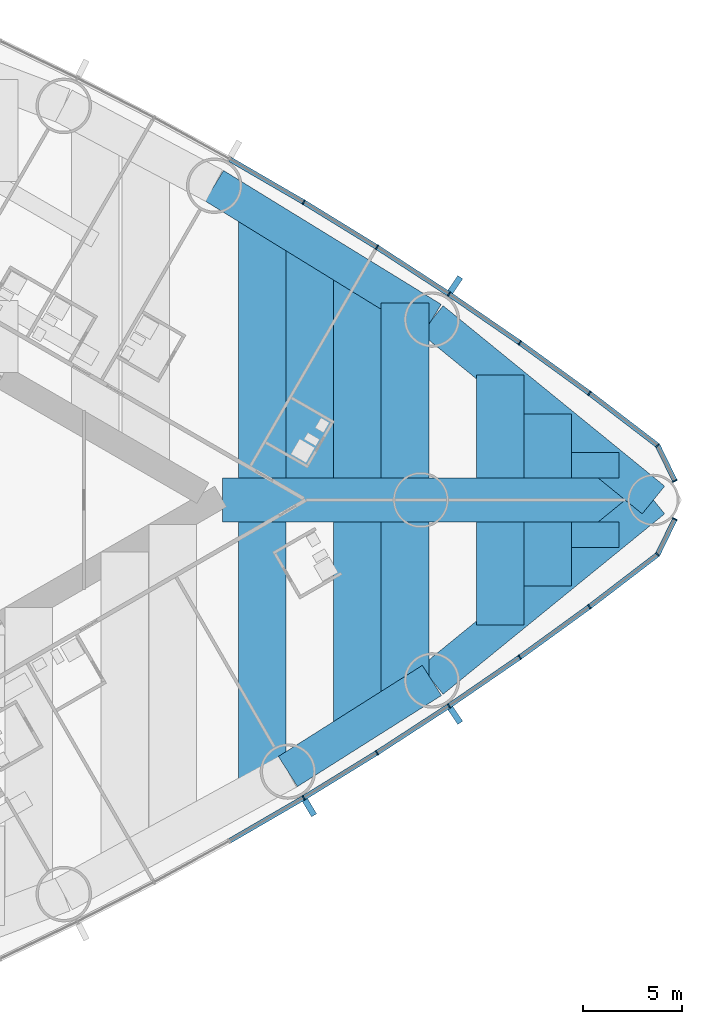
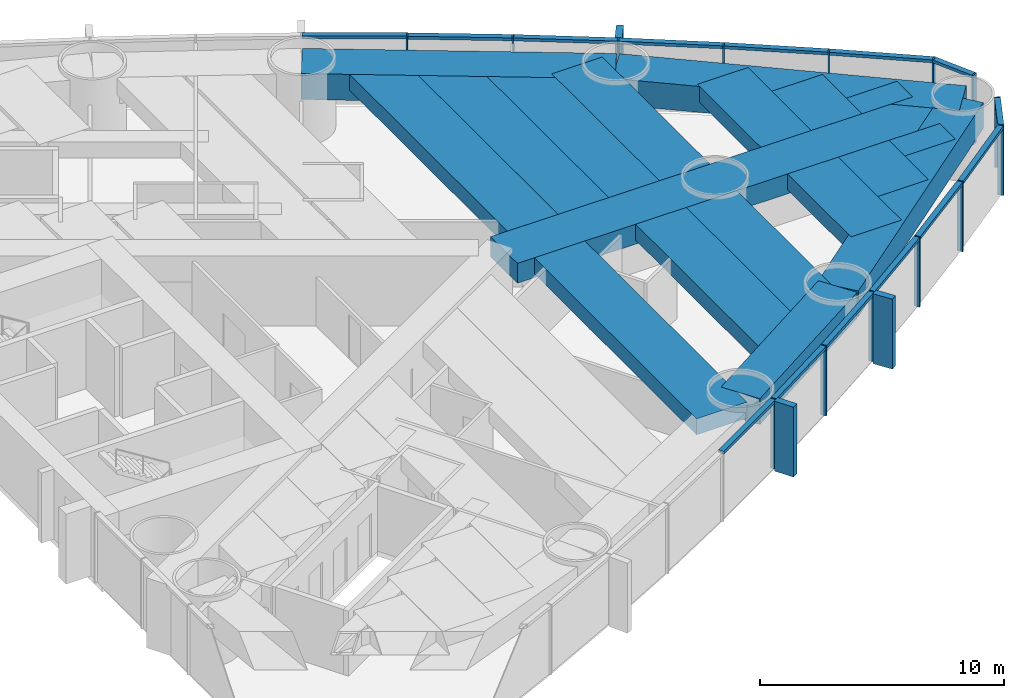
# One storey, part 8 of 18: 31 members, 18 beams, 2 elements without a shape of their own.
"""IFC4 building model written with IfcOpenShell, lengths in metres."""

from ifc_helpers import new_model, si_unit, direction, frame, origin, origin_2d, place, context, subcontext, project, spatial, rectangle, extrude, material, material_profile, profile_set, type_object, element, aggregate, save


model = new_model("IFC4")

# Units and contexts
model_context = context("Model", 3, precision=1e-05, world=origin(), true_north=direction((0.0, 1.0)))
body_context = subcontext(model_context, "Body", "Model", "MODEL_VIEW")
ifc_project = project(units=[si_unit("LENGTHUNIT", "METRE"), si_unit("AREAUNIT", "SQUARE_METRE"), si_unit("VOLUMEUNIT", "CUBIC_METRE"), si_unit("PLANEANGLEUNIT", "RADIAN"), si_unit("MASSUNIT", "GRAM", prefix="KILO")], contexts=[model_context])

# Site, building, storey
site_placement = place(None, origin())
site = spatial("IfcSite", under=ifc_project, at=site_placement, CompositionType="ELEMENT")
building_placement = place(site_placement, origin())
building = spatial("IfcBuilding", under=site, at=building_placement, Name="Lancet Gate Hotel", CompositionType="ELEMENT")
storey_placement = place(building_placement, frame((0.0, 0.0, 42.5)))
storey = spatial("IfcBuildingStorey", under=building, at=storey_placement, Name="L10", CompositionType="ELEMENT", Elevation=42.5)

# Curtain wall, members
ifc_material_1 = material(Name="Aluminium curtain wall", Category="aluminium")
curtain_wall_type = type_object("IfcCurtainWallType", Name="Tower unitised curtain wall", PredefinedType="USERDEFINED", material=ifc_material_1)
curtain_wall_1_placement = place(storey_placement, origin())
curtain_wall_1 = element("IfcCurtainWall", 1, at=curtain_wall_1_placement, inside=storey, type_object=curtain_wall_type, Name="T2 L10 curtain wall 2", ObjectType="UNITISED CURTAIN WALL", PredefinedType="USERDEFINED")
ifc_material_2 = material(Name="Aluminium mullion", Category="aluminium")
ifc_material_profile_1 = material_profile(ifc_material_2, rectangle(XDim=0.06494140625, YDim=0.25, at=origin_2d()), Name="MULLION 65x250")
ifc_profile_set_1 = profile_set([ifc_material_profile_1], Name="Aluminium mullion")
member_type_1 = type_object("IfcMemberType", Name="Aluminium mullion 65x250", PredefinedType="MULLION", material=ifc_profile_set_1)
member_1_placement = place(storey_placement, frame((55.590087890625, -15.03125, 0.0), z_axis=(0.0, 0.0, 1.0), x_axis=(0.858413008828, 0.512959166284, 0.0)))
member_1 = element("IfcMember", 2, at=member_1_placement, type_object=member_type_1, Name="T2 L10 curtain wall 2 mullion 8", PredefinedType="MULLION", context=body_context, shape_type="SweptSolid", body=[
    extrude(rectangle(XDim=0.06494140625, YDim=0.25, at=origin_2d()), origin(), (0.0, 0.0, 1.0), 3.5),
])
member_2_placement = place(storey_placement, frame((59.28515625, -12.7587890625, 0.0), z_axis=(0.0, 0.0, 1.0), x_axis=(0.845079420983, 0.534640788035, 0.0)))
member_2 = element("IfcMember", 3, at=member_2_placement, type_object=member_type_1, Name="T2 L10 curtain wall 2 mullion 9", PredefinedType="MULLION", context=body_context, shape_type="SweptSolid", body=[
    extrude(rectangle(XDim=0.06494140625, YDim=0.25, at=origin_2d()), origin(), (0.0, 0.0, 1.0), 3.5),
])
member_3_placement = place(storey_placement, frame((62.921142578125, -10.393310546875, 0.0), z_axis=(0.0, 0.0, 1.0), x_axis=(0.831198325377, 0.555976028162, 0.0)))
member_3 = element("IfcMember", 4, at=member_3_placement, type_object=member_type_1, Name="T2 L10 curtain wall 2 mullion 10", PredefinedType="MULLION", context=body_context, shape_type="SweptSolid", body=[
    extrude(rectangle(XDim=0.06494140625, YDim=0.25, at=origin_2d()), origin(), (0.0, 0.0, 1.0), 3.5),
])
member_4_placement = place(storey_placement, frame((66.49560546875, -7.935791015625, 0.0), z_axis=(0.0, 0.0, 1.0), x_axis=(0.816778715254, 0.576951064049, 0.0)))
member_4 = element("IfcMember", 5, at=member_4_placement, type_object=member_type_1, Name="T2 L10 curtain wall 2 mullion 11", PredefinedType="MULLION", context=body_context, shape_type="SweptSolid", body=[
    extrude(rectangle(XDim=0.06494140625, YDim=0.25, at=origin_2d()), origin(), (0.0, 0.0, 1.0), 3.5),
])
member_5_placement = place(storey_placement, frame((70.00634765625, -5.388427734375, 0.0), z_axis=(0.0, 0.0, 1.0), x_axis=(0.801829932754, 0.597552306447, 0.0)))
member_5 = element("IfcMember", 6, at=member_5_placement, type_object=member_type_1, Name="T2 L10 curtain wall 2 mullion 12", PredefinedType="MULLION", context=body_context, shape_type="SweptSolid", body=[
    extrude(rectangle(XDim=0.06494140625, YDim=0.25, at=origin_2d()), origin(), (0.0, 0.0, 1.0), 3.5),
])
member_6_placement = place(storey_placement, frame((73.451416015625, -2.752197265625, 0.0), z_axis=(0.0, 0.0, 1.0), x_axis=(0.697983022443, 0.716114306784, 0.0)))
member_6 = element("IfcMember", 7, at=member_6_placement, type_object=member_type_1, Name="T2 L10 curtain wall 2 mullion 13", PredefinedType="MULLION", context=body_context, shape_type="SweptSolid", body=[
    extrude(rectangle(XDim=0.06494140625, YDim=0.25, at=origin_2d()), origin(), (0.0, 0.0, 1.0), 3.5),
])
member_7_placement = place(storey_placement, frame((74.322265625, -0.96044921875, 0.0), z_axis=(0.0, 0.0, 1.0), x_axis=(0.437169070119, 0.899379343843, 0.0)))
member_7 = element("IfcMember", 8, at=member_7_placement, type_object=member_type_1, Name="T2 L10 curtain wall 2 mullion 14", PredefinedType="MULLION", context=body_context, shape_type="SweptSolid", body=[
    extrude(rectangle(XDim=0.06494140625, YDim=0.25, at=origin_2d()), origin(), (0.0, 0.0, 1.0), 3.5),
])

curtain_wall_2_placement = place(storey_placement, origin())
curtain_wall_2 = element("IfcCurtainWall", 9, at=curtain_wall_2_placement, inside=storey, type_object=curtain_wall_type, Name="T2 L10 curtain wall 3", ObjectType="UNITISED CURTAIN WALL", PredefinedType="USERDEFINED")
member_8_placement = place(storey_placement, frame((74.322265625, 0.96044921875, 0.0), z_axis=(0.0, 0.0, 1.0), x_axis=(-0.437169070119, 0.899379343843, 0.0)))
member_8 = element("IfcMember", 10, at=member_8_placement, type_object=member_type_1, Name="T2 L10 curtain wall 3 mullion 1", PredefinedType="MULLION", context=body_context, shape_type="SweptSolid", body=[
    extrude(rectangle(XDim=0.06494140625, YDim=0.25, at=origin_2d()), origin(), (0.0, 0.0, 1.0), 3.5),
])
member_9_placement = place(storey_placement, frame((73.451416015625, 2.752197265625, 0.0), z_axis=(0.0, 0.0, 1.0), x_axis=(-0.697983022443, 0.716114306784, 0.0)))
member_9 = element("IfcMember", 11, at=member_9_placement, type_object=member_type_1, Name="T2 L10 curtain wall 3 mullion 2", PredefinedType="MULLION", context=body_context, shape_type="SweptSolid", body=[
    extrude(rectangle(XDim=0.06494140625, YDim=0.25, at=origin_2d()), origin(), (0.0, 0.0, 1.0), 3.5),
])
member_10_placement = place(storey_placement, frame((70.00634765625, 5.388427734375, 0.0), z_axis=(0.0, 0.0, 1.0), x_axis=(-0.801829932754, 0.597552306447, 0.0)))
member_10 = element("IfcMember", 12, at=member_10_placement, type_object=member_type_1, Name="T2 L10 curtain wall 3 mullion 3", PredefinedType="MULLION", context=body_context, shape_type="SweptSolid", body=[
    extrude(rectangle(XDim=0.06494140625, YDim=0.25, at=origin_2d()), origin(), (0.0, 0.0, 1.0), 3.5),
])
member_11_placement = place(storey_placement, frame((66.49560546875, 7.935791015625, 0.0), z_axis=(0.0, 0.0, 1.0), x_axis=(-0.816778715254, 0.576951064049, 0.0)))
member_11 = element("IfcMember", 13, at=member_11_placement, type_object=member_type_1, Name="T2 L10 curtain wall 3 mullion 4", PredefinedType="MULLION", context=body_context, shape_type="SweptSolid", body=[
    extrude(rectangle(XDim=0.06494140625, YDim=0.25, at=origin_2d()), origin(), (0.0, 0.0, 1.0), 3.5),
])
member_12_placement = place(storey_placement, frame((62.921142578125, 10.393310546875, 0.0), z_axis=(0.0, 0.0, 1.0), x_axis=(-0.831198325377, 0.555976028162, 0.0)))
member_12 = element("IfcMember", 14, at=member_12_placement, type_object=member_type_1, Name="T2 L10 curtain wall 3 mullion 5", PredefinedType="MULLION", context=body_context, shape_type="SweptSolid", body=[
    extrude(rectangle(XDim=0.06494140625, YDim=0.25, at=origin_2d()), origin(), (0.0, 0.0, 1.0), 3.5),
])
member_13_placement = place(storey_placement, frame((59.28515625, 12.7587890625, 0.0), z_axis=(0.0, 0.0, 1.0), x_axis=(-0.845079420983, 0.534640788035, 0.0)))
member_13 = element("IfcMember", 15, at=member_13_placement, type_object=member_type_1, Name="T2 L10 curtain wall 3 mullion 6", PredefinedType="MULLION", context=body_context, shape_type="SweptSolid", body=[
    extrude(rectangle(XDim=0.06494140625, YDim=0.25, at=origin_2d()), origin(), (0.0, 0.0, 1.0), 3.5),
])
member_14_placement = place(storey_placement, frame((55.590087890625, 15.03125, 0.0), z_axis=(0.0, 0.0, 1.0), x_axis=(-0.858413008828, 0.512959166284, 0.0)))
member_14 = element("IfcMember", 16, at=member_14_placement, type_object=member_type_1, Name="T2 L10 curtain wall 3 mullion 7", PredefinedType="MULLION", context=body_context, shape_type="SweptSolid", body=[
    extrude(rectangle(XDim=0.06494140625, YDim=0.25, at=origin_2d()), origin(), (0.0, 0.0, 1.0), 3.5),
])

# Member
ifc_material_3 = material(Name="Aluminium transom", Category="aluminium")
ifc_material_profile_2 = material_profile(ifc_material_3, rectangle(XDim=0.25, YDim=0.14990234375, at=origin_2d()), Name="TRANSOM 250x150")
ifc_profile_set_2 = profile_set([ifc_material_profile_2], Name="Aluminium transom")
member_type_2 = type_object("IfcMemberType", Name="Aluminium transom 250x150", PredefinedType="USERDEFINED", material=ifc_profile_set_2)
member_15_placement = place(storey_placement, frame((51.86669921875, -17.1923828125, 3.425048828125), z_axis=(0.864854571156, 0.502022480324, 0.0), x_axis=(-0.502022480324, 0.864854571156, 0.0)))
member_15 = element("IfcMember", 17, at=member_15_placement, type_object=member_type_2, Name="T2 L10 curtain wall 2 transom 7", ObjectType="TRANSOM", PredefinedType="USERDEFINED", context=body_context, shape_type="SweptSolid", body=[
    extrude(rectangle(XDim=0.25, YDim=0.14990234375, at=origin_2d()), origin(), (0.0, 0.0, 1.0), 4.272705078125),
])

member_16_placement = place(storey_placement, frame((55.617919921875, -15.01416015625, 3.425048828125), z_axis=(0.851815224451, 0.523842365023, 0.0), x_axis=(-0.523842365023, 0.851815224451, 0.0)))
member_16 = element("IfcMember", 18, at=member_16_placement, type_object=member_type_2, Name="T2 L10 curtain wall 2 transom 8", ObjectType="TRANSOM", PredefinedType="USERDEFINED", context=body_context, shape_type="SweptSolid", body=[
    extrude(rectangle(XDim=0.25, YDim=0.14990234375, at=origin_2d()), origin(), (0.0, 0.0, 1.0), 4.272705078125),
])

member_17_placement = place(storey_placement, frame((59.3125, -12.7412109375, 3.425048828125), z_axis=(0.83817850664, 0.545395994674, 0.0), x_axis=(-0.545395994674, 0.83817850664, 0.0)))
member_17 = element("IfcMember", 19, at=member_17_placement, type_object=member_type_2, Name="T2 L10 curtain wall 2 transom 9", ObjectType="TRANSOM", PredefinedType="USERDEFINED", context=body_context, shape_type="SweptSolid", body=[
    extrude(rectangle(XDim=0.25, YDim=0.14990234375, at=origin_2d()), origin(), (0.0, 0.0, 1.0), 4.272705078125),
])

member_18_placement = place(storey_placement, frame((62.94775390625, -10.374755859375, 3.425048828125), z_axis=(0.824071932869, 0.566485171437, 0.0), x_axis=(-0.566485171437, 0.824071932869, 0.0)))
member_18 = element("IfcMember", 20, at=member_18_placement, type_object=member_type_2, Name="T2 L10 curtain wall 2 transom 10", ObjectType="TRANSOM", PredefinedType="USERDEFINED", context=body_context, shape_type="SweptSolid", body=[
    extrude(rectangle(XDim=0.25, YDim=0.14990234375, at=origin_2d()), origin(), (0.0, 0.0, 1.0), 4.272705078125),
])

member_19_placement = place(storey_placement, frame((66.52197265625, -7.916748046875, 3.425048828125), z_axis=(0.809382971085, 0.587281198505, 0.0), x_axis=(-0.587281198505, 0.809382971085, 0.0)))
member_19 = element("IfcMember", 21, at=member_19_placement, type_object=member_type_2, Name="T2 L10 curtain wall 2 transom 11", ObjectType="TRANSOM", PredefinedType="USERDEFINED", context=body_context, shape_type="SweptSolid", body=[
    extrude(rectangle(XDim=0.25, YDim=0.14990234375, at=origin_2d()), origin(), (0.0, 0.0, 1.0), 4.272705078125),
])

member_20_placement = place(storey_placement, frame((70.0322265625, -5.36865234375, 3.425048828125), z_axis=(0.794155062652, 0.607715177089, 0.0), x_axis=(-0.607715177089, 0.794155062652, 0.0)))
member_20 = element("IfcMember", 22, at=member_20_placement, type_object=member_type_2, Name="T2 L10 curtain wall 2 transom 12", ObjectType="TRANSOM", PredefinedType="USERDEFINED", context=body_context, shape_type="SweptSolid", body=[
    extrude(rectangle(XDim=0.25, YDim=0.14990234375, at=origin_2d()), origin(), (0.0, 0.0, 1.0), 4.27294921875),
])

member_21_placement = place(storey_placement, frame((73.465576171875, -2.72314453125, 3.425048828125), z_axis=(0.437103060611, 0.899411426659, 0.0), x_axis=(-0.899411426659, 0.437103060611, 0.0)))
member_21 = element("IfcMember", 23, at=member_21_placement, type_object=member_type_2, Name="T2 L10 curtain wall 2 transom 13", ObjectType="TRANSOM", PredefinedType="USERDEFINED", context=body_context, shape_type="SweptSolid", body=[
    extrude(rectangle(XDim=0.25, YDim=0.14990234375, at=origin_2d()), origin(), (0.0, 0.0, 1.0), 1.927490234375),
])

member_22_placement = place(storey_placement, frame((74.30810546875, 0.989501953125, 3.425048828125), z_axis=(-0.437103060611, 0.899411426659, 0.0), x_axis=(-0.899411426659, -0.437103060611, 0.0)))
member_22 = element("IfcMember", 24, at=member_22_placement, type_object=member_type_2, Name="T2 L10 curtain wall 3 transom 1", ObjectType="TRANSOM", PredefinedType="USERDEFINED", context=body_context, shape_type="SweptSolid", body=[
    extrude(rectangle(XDim=0.25, YDim=0.14990234375, at=origin_2d()), origin(), (0.0, 0.0, 1.0), 1.927490234375),
])

member_23_placement = place(storey_placement, frame((73.425537109375, 2.77197265625, 3.425048828125), z_axis=(-0.794155062652, 0.607715177089, 0.0), x_axis=(-0.607715177089, -0.794155062652, 0.0)))
member_23 = element("IfcMember", 25, at=member_23_placement, type_object=member_type_2, Name="T2 L10 curtain wall 3 transom 2", ObjectType="TRANSOM", PredefinedType="USERDEFINED", context=body_context, shape_type="SweptSolid", body=[
    extrude(rectangle(XDim=0.25, YDim=0.14990234375, at=origin_2d()), origin(), (0.0, 0.0, 1.0), 4.27294921875),
])

member_24_placement = place(storey_placement, frame((69.980224609375, 5.407470703125, 3.425048828125), z_axis=(-0.809382971085, 0.587281198505, 0.0), x_axis=(-0.587281198505, -0.809382971085, 0.0)))
member_24 = element("IfcMember", 26, at=member_24_placement, type_object=member_type_2, Name="T2 L10 curtain wall 3 transom 3", ObjectType="TRANSOM", PredefinedType="USERDEFINED", context=body_context, shape_type="SweptSolid", body=[
    extrude(rectangle(XDim=0.25, YDim=0.14990234375, at=origin_2d()), origin(), (0.0, 0.0, 1.0), 4.272705078125),
])

member_25_placement = place(storey_placement, frame((66.46875, 7.954345703125, 3.425048828125), z_axis=(-0.824071932869, 0.566485171437, 0.0), x_axis=(-0.566485171437, -0.824071932869, 0.0)))
member_25 = element("IfcMember", 27, at=member_25_placement, type_object=member_type_2, Name="T2 L10 curtain wall 3 transom 4", ObjectType="TRANSOM", PredefinedType="USERDEFINED", context=body_context, shape_type="SweptSolid", body=[
    extrude(rectangle(XDim=0.25, YDim=0.14990234375, at=origin_2d()), origin(), (0.0, 0.0, 1.0), 4.272705078125),
])

member_26_placement = place(storey_placement, frame((62.893798828125, 10.410888671875, 3.425048828125), z_axis=(-0.83817850664, 0.545395994674, 0.0), x_axis=(-0.545395994674, -0.83817850664, 0.0)))
member_26 = element("IfcMember", 28, at=member_26_placement, type_object=member_type_2, Name="T2 L10 curtain wall 3 transom 5", ObjectType="TRANSOM", PredefinedType="USERDEFINED", context=body_context, shape_type="SweptSolid", body=[
    extrude(rectangle(XDim=0.25, YDim=0.14990234375, at=origin_2d()), origin(), (0.0, 0.0, 1.0), 4.272705078125),
])

member_27_placement = place(storey_placement, frame((59.257568359375, 12.77587890625, 3.425048828125), z_axis=(-0.851815224451, 0.523842365023, 0.0), x_axis=(-0.523842365023, -0.851815224451, 0.0)))
member_27 = element("IfcMember", 29, at=member_27_placement, type_object=member_type_2, Name="T2 L10 curtain wall 3 transom 6", ObjectType="TRANSOM", PredefinedType="USERDEFINED", context=body_context, shape_type="SweptSolid", body=[
    extrude(rectangle(XDim=0.25, YDim=0.14990234375, at=origin_2d()), origin(), (0.0, 0.0, 1.0), 4.272705078125),
])

member_28_placement = place(storey_placement, frame((55.56201171875, 15.04736328125, 3.425048828125), z_axis=(-0.864854571156, 0.502022480324, 0.0), x_axis=(-0.502022480324, -0.864854571156, 0.0)))
member_28 = element("IfcMember", 30, at=member_28_placement, type_object=member_type_2, Name="T2 L10 curtain wall 3 transom 7", ObjectType="TRANSOM", PredefinedType="USERDEFINED", context=body_context, shape_type="SweptSolid", body=[
    extrude(rectangle(XDim=0.25, YDim=0.14990234375, at=origin_2d()), origin(), (0.0, 0.0, 1.0), 4.272705078125),
])

# Beams
ifc_material_4 = material(Name="Concrete C50/60", Category="concrete")
ifc_material_profile_3 = material_profile(ifc_material_4, rectangle(XDim=1.800048828125, YDim=1.300048828125, at=origin_2d()), Name="RC 1800x1300")
ifc_profile_set_3 = profile_set([ifc_material_profile_3], Name="Concrete C50/60")
beam_type_1 = type_object("IfcBeamType", Name="Edge beam RC 1800x1300", PredefinedType="SPANDREL", material=ifc_profile_set_3)
beam_1_placement = place(storey_placement, frame((54.795166015625, -13.70068359375, 2.60009765625), z_axis=(0.845078312276, 0.534642540508, 0.0), x_axis=(-0.534642540508, 0.845078312276, 0.0)))
element("IfcBeam", 31, at=beam_1_placement, inside=storey, type_object=beam_type_1, Name="T2 edge beam EB1 L10", PredefinedType="SPANDREL", context=body_context, shape_type="SweptSolid", body=[
    extrude(rectangle(XDim=1.800048828125, YDim=1.300048828125, at=origin_2d()), origin(), (0.0, 0.0, 1.0), 8.595947265625),
])
for number, where, z_axis, x_axis, name in (
    (32, (62.059326171875, -9.10498046875, 2.60009765625), (0.775390970005, 0.631481467372, 0.0), (-0.631481467372, 0.775390970005, 0.0), "T2 edge beam EB1 L10"),
    (33, (73.2392578125, 0.0, 2.60009765625), (-0.775390970005, 0.631481467372, 0.0), (-0.631481467372, -0.775390970005, 0.0), "T2 edge beam EB1 L10"),
):
    element("IfcBeam", number, at=place(storey_placement, frame(where, z_axis=z_axis, x_axis=x_axis)), inside=storey, type_object=beam_type_1, Name=name, PredefinedType="SPANDREL", context=body_context, shape_type="SweptSolid", body=[
        extrude(rectangle(XDim=1.800048828125, YDim=1.300048828125, at=origin_2d()), origin(), (0.0, 0.0, 1.0), 14.41845703125),
    ])
beam_2_placement = place(storey_placement, frame((62.059326171875, 9.10498046875, 2.60009765625), z_axis=(-0.851815628025, 0.523841708775, 0.0), x_axis=(-0.523841708775, -0.851815628025, 0.0)))
element("IfcBeam", 34, at=beam_2_placement, inside=storey, type_object=beam_type_1, Name="T2 edge beam EB1 L10", PredefinedType="SPANDREL", context=body_context, shape_type="SweptSolid", body=[
    extrude(rectangle(XDim=1.800048828125, YDim=1.300048828125, at=origin_2d()), origin(), (0.0, 0.0, 1.0), 12.89208984375),
])

# Member
ifc_material_5 = material(Name="Precast concrete C50/60", Category="concrete")
ifc_material_profile_4 = material_profile(ifc_material_5, rectangle(XDim=0.300048828125, YDim=0.89990234375, at=origin_2d()), Name="FIN 300x900")
ifc_profile_set_4 = profile_set([ifc_material_profile_4], Name="Precast concrete C50/60")
member_type_3 = type_object("IfcMemberType", Name="Exposed concrete fin 300x900", PredefinedType="USERDEFINED", material=ifc_profile_set_4)
member_29_placement = place(storey_placement, frame((55.88525390625, -15.524658203125, 0.0), z_axis=(0.0, 0.0, 1.0), x_axis=(0.858413008828, 0.512959166284, 0.0)))
member_29 = element("IfcMember", 35, at=member_29_placement, type_object=member_type_3, Name="T2 L10 curtain wall 2 fin 8", ObjectType="FIN", PredefinedType="USERDEFINED", context=body_context, shape_type="SweptSolid", body=[
    extrude(rectangle(XDim=0.300048828125, YDim=0.89990234375, at=origin_2d()), origin(), (0.0, 0.0, 1.0), 3.5),
])

member_30_placement = place(storey_placement, frame((63.24072265625, -10.87109375, 0.0), z_axis=(0.0, 0.0, 1.0), x_axis=(0.831198325377, 0.555976028162, 0.0)))
member_30 = element("IfcMember", 36, at=member_30_placement, type_object=member_type_3, Name="T2 L10 curtain wall 2 fin 10", ObjectType="FIN", PredefinedType="USERDEFINED", context=body_context, shape_type="SweptSolid", body=[
    extrude(rectangle(XDim=0.300048828125, YDim=0.89990234375, at=origin_2d()), origin(), (0.0, 0.0, 1.0), 3.5),
])

aggregate(curtain_wall_1, [member_1, member_29, member_2, member_3, member_30, member_4, member_5, member_6, member_7, member_15, member_16, member_17, member_18, member_19, member_20, member_21])

member_31_placement = place(storey_placement, frame((63.24072265625, 10.87109375, 0.0), z_axis=(0.0, 0.0, 1.0), x_axis=(-0.831198325377, 0.555976028162, 0.0)))
member_31 = element("IfcMember", 37, at=member_31_placement, type_object=member_type_3, Name="T2 L10 curtain wall 3 fin 5", ObjectType="FIN", PredefinedType="USERDEFINED", context=body_context, shape_type="SweptSolid", body=[
    extrude(rectangle(XDim=0.300048828125, YDim=0.89990234375, at=origin_2d()), origin(), (0.0, 0.0, 1.0), 3.5),
])

aggregate(curtain_wall_2, [member_8, member_9, member_10, member_11, member_12, member_31, member_13, member_14, member_22, member_23, member_24, member_25, member_26, member_27, member_28])

# Beams
ifc_material_6 = material(Name="Concrete C50/60", Category="concrete")
ifc_material_profile_5 = material_profile(ifc_material_6, rectangle(XDim=2.39990234375, YDim=0.800048828125, at=origin_2d()), Name="RC 2400x800")
ifc_profile_set_5 = profile_set([ifc_material_profile_5], Name="Concrete C50/60")
beam_type_2 = type_object("IfcBeamType", Name="Floor beam RC 2400x800", PredefinedType="BEAM", material=ifc_profile_set_5)
beam_3_placement = place(storey_placement, frame((53.502197265625, -14.40771484375, 2.85009765625), z_axis=(0.0, 1.0, 0.0), x_axis=(-1.0, 0.0, 0.0)))
element("IfcBeam", 38, at=beam_3_placement, inside=storey, type_object=beam_type_2, Name="T2 floor beam F16S L10", PredefinedType="BEAM", context=body_context, shape_type="SweptSolid", body=[
    extrude(rectangle(XDim=2.39990234375, YDim=0.800048828125, at=origin_2d()), origin(), (0.0, 0.0, 1.0), 13.3076171875),
])
beam_4_placement = place(storey_placement, frame((53.502197265625, 1.10009765625, 2.85009765625), z_axis=(0.0, 1.0, 0.0), x_axis=(-1.0, 0.0, 0.0)))
element("IfcBeam", 39, at=beam_4_placement, inside=storey, type_object=beam_type_2, Name="T2 floor beam F17N L10", PredefinedType="BEAM", context=body_context, shape_type="SweptSolid", body=[
    extrude(rectangle(XDim=2.39990234375, YDim=0.800048828125, at=origin_2d()), origin(), (0.0, 0.0, 1.0), 13.26708984375),
])
beam_5_placement = place(storey_placement, frame((55.90234375, 1.10009765625, 2.85009765625), z_axis=(0.0, 1.0, 0.0), x_axis=(-1.0, 0.0, 0.0)))
element("IfcBeam", 40, at=beam_5_placement, inside=storey, type_object=beam_type_2, Name="T2 floor beam F18N L10", PredefinedType="BEAM", context=body_context, shape_type="SweptSolid", body=[
    extrude(rectangle(XDim=2.39990234375, YDim=0.800048828125, at=origin_2d()), origin(), (0.0, 0.0, 1.0), 11.791259765625),
])
beam_6_placement = place(storey_placement, frame((58.30224609375, -11.48193359375, 2.85009765625), z_axis=(0.0, 1.0, 0.0), x_axis=(-1.0, 0.0, 0.0)))
element("IfcBeam", 41, at=beam_6_placement, inside=storey, type_object=beam_type_2, Name="T2 floor beam F19S L10", PredefinedType="BEAM", context=body_context, shape_type="SweptSolid", body=[
    extrude(rectangle(XDim=2.39990234375, YDim=0.800048828125, at=origin_2d()), origin(), (0.0, 0.0, 1.0), 10.3818359375),
])
beam_7_placement = place(storey_placement, frame((58.30224609375, 1.10009765625, 2.85009765625), z_axis=(0.0, 1.0, 0.0), x_axis=(-1.0, 0.0, 0.0)))
element("IfcBeam", 42, at=beam_7_placement, inside=storey, type_object=beam_type_2, Name="T2 floor beam F20N L10", PredefinedType="BEAM", context=body_context, shape_type="SweptSolid", body=[
    extrude(rectangle(XDim=2.39990234375, YDim=0.800048828125, at=origin_2d()), origin(), (0.0, 0.0, 1.0), 10.3154296875),
])
beam_8_placement = place(storey_placement, frame((60.7021484375, -9.96337890625, 2.85009765625), z_axis=(0.0, 1.0, 0.0), x_axis=(-1.0, 0.0, 0.0)))
element("IfcBeam", 43, at=beam_8_placement, inside=storey, type_object=beam_type_2, Name="T2 floor beam F21S L10", PredefinedType="BEAM", context=body_context, shape_type="SweptSolid", body=[
    extrude(rectangle(XDim=2.39990234375, YDim=0.800048828125, at=origin_2d()), origin(), (0.0, 0.0, 1.0), 8.86328125),
])
beam_9_placement = place(storey_placement, frame((60.7021484375, 1.10009765625, 2.85009765625), z_axis=(0.0, 1.0, 0.0), x_axis=(-1.0, 0.0, 0.0)))
element("IfcBeam", 44, at=beam_9_placement, inside=storey, type_object=beam_type_2, Name="T2 floor beam F22N L10", PredefinedType="BEAM", context=body_context, shape_type="SweptSolid", body=[
    extrude(rectangle(XDim=2.39990234375, YDim=0.800048828125, at=origin_2d()), origin(), (0.0, 0.0, 1.0), 8.83935546875),
])
for number, where, z_axis, x_axis, name in (
    (45, (65.502197265625, -6.301025390625, 2.85009765625), (0.0, 1.0, 0.0), (-1.0, 0.0, 0.0), "T2 floor beam F23S L10"),
    (46, (65.502197265625, 1.10009765625, 2.85009765625), (0.0, 1.0, 0.0), (-1.0, 0.0, 0.0), "T2 floor beam F24N L10"),
):
    element("IfcBeam", number, at=place(storey_placement, frame(where, z_axis=z_axis, x_axis=x_axis)), inside=storey, type_object=beam_type_2, Name=name, PredefinedType="BEAM", context=body_context, shape_type="SweptSolid", body=[
        extrude(rectangle(XDim=2.39990234375, YDim=0.800048828125, at=origin_2d()), origin(), (0.0, 0.0, 1.0), 5.200927734375),
    ])
for number, where, z_axis, x_axis, name in (
    (47, (67.90234375, -4.346435546875, 2.85009765625), (0.0, 1.0, 0.0), (-1.0, 0.0, 0.0), "T2 floor beam F25S L10"),
    (48, (67.90234375, 1.10009765625, 2.85009765625), (0.0, 1.0, 0.0), (-1.0, 0.0, 0.0), "T2 floor beam F26N L10"),
):
    element("IfcBeam", number, at=place(storey_placement, frame(where, z_axis=z_axis, x_axis=x_axis)), inside=storey, type_object=beam_type_2, Name=name, PredefinedType="BEAM", context=body_context, shape_type="SweptSolid", body=[
        extrude(rectangle(XDim=2.39990234375, YDim=0.800048828125, at=origin_2d()), origin(), (0.0, 0.0, 1.0), 3.246337890625),
    ])
for number, where, z_axis, x_axis, name in (
    (49, (70.30224609375, -2.391845703125, 2.85009765625), (0.0, 1.0, 0.0), (-1.0, 0.0, 0.0), "T2 floor beam F27S L10"),
    (50, (70.30224609375, 1.10009765625, 2.85009765625), (0.0, 1.0, 0.0), (-1.0, 0.0, 0.0), "T2 floor beam F28N L10"),
):
    element("IfcBeam", number, at=place(storey_placement, frame(where, z_axis=z_axis, x_axis=x_axis)), inside=storey, type_object=beam_type_2, Name=name, PredefinedType="BEAM", context=body_context, shape_type="SweptSolid", body=[
        extrude(rectangle(XDim=2.39990234375, YDim=0.800048828125, at=origin_2d()), origin(), (0.0, 0.0, 1.0), 1.291748046875),
    ])
ifc_material_7 = material(Name="Concrete C50/60", Category="concrete")
ifc_material_profile_6 = material_profile(ifc_material_7, rectangle(XDim=2.199951171875, YDim=1.0, at=origin_2d()), Name="RC 2200x1000")
ifc_profile_set_6 = profile_set([ifc_material_profile_6], Name="Concrete C50/60")
beam_type_3 = type_object("IfcBeamType", Name="Radial floor beam RC 2200x1000", PredefinedType="BEAM", material=ifc_profile_set_6)
beam_10_placement = place(storey_placement, frame((73.2392578125, 0.0, 2.75), z_axis=(-1.0, 0.0, 0.0), x_axis=(0.0, -1.0, 0.0)))
element("IfcBeam", 51, at=beam_10_placement, inside=storey, type_object=beam_type_3, Name="T2 radial beam CA L10", PredefinedType="BEAM", context=body_context, shape_type="SweptSolid", body=[
    extrude(rectangle(XDim=2.199951171875, YDim=1.0, at=origin_2d()), origin(), (0.0, 0.0, 1.0), 21.737060546875),
])

save(model, "model.ifc")
